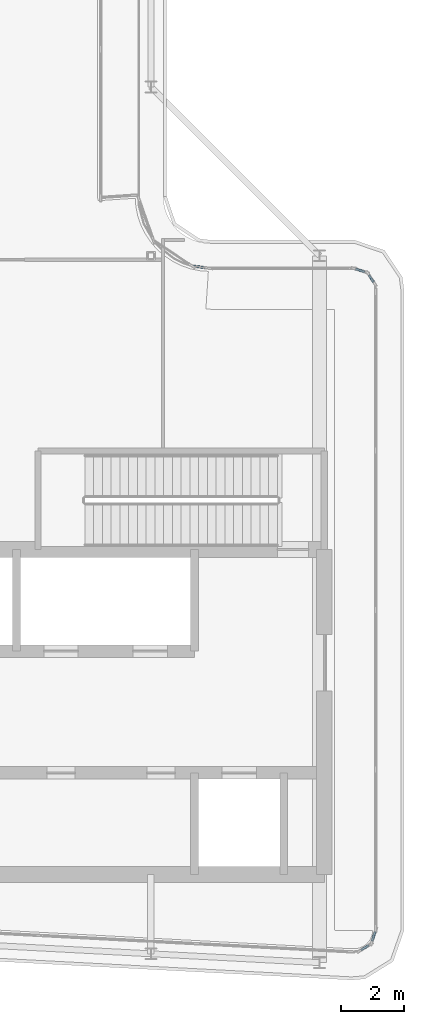
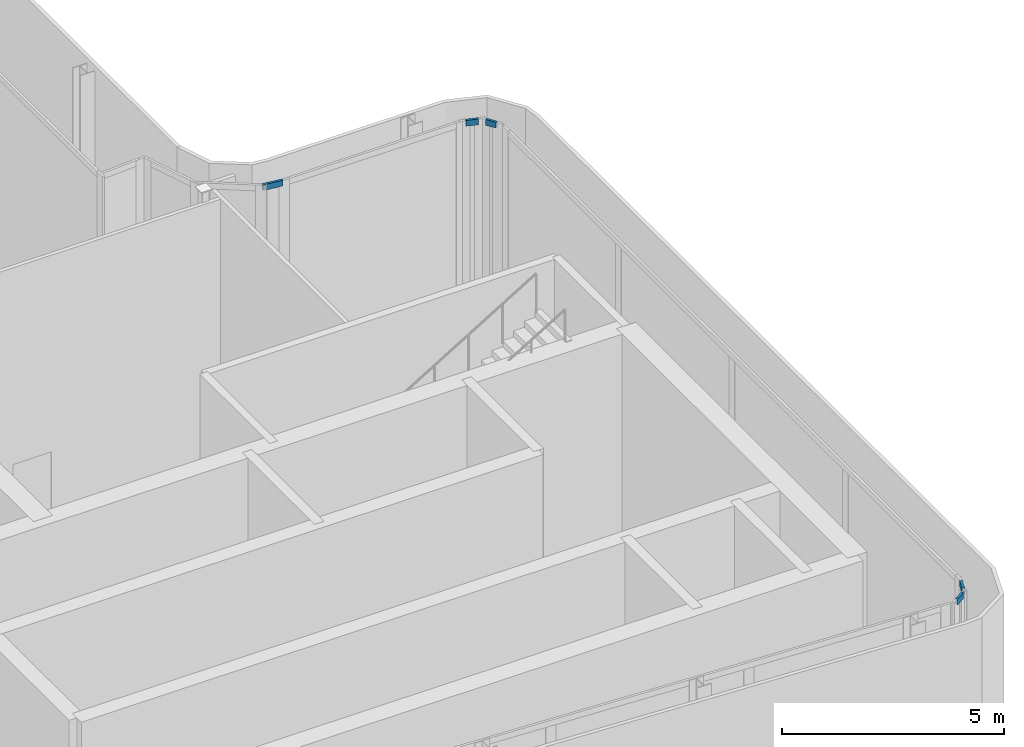
# One storey, part 9 of 23: 5 members, 5 elements without a shape of their own.
"""IFC4 building model written with IfcOpenShell, lengths in metres."""

from ifc_helpers import new_model, si_unit, direction, frame, origin, origin_2d, place, context, subcontext, project, spatial, rectangle, extrude, material, layer, layer_set, material_profile, profile_set, type_object, element, aggregate, save


model = new_model("IFC4")

# Units and contexts
model_context = context("Model", 3, precision=1e-05, world=origin(), true_north=direction((0.0, 1.0)))
body_context = subcontext(model_context, "Body", "Model", "MODEL_VIEW")
ifc_project = project(units=[si_unit("LENGTHUNIT", "METRE"), si_unit("AREAUNIT", "SQUARE_METRE"), si_unit("VOLUMEUNIT", "CUBIC_METRE"), si_unit("PLANEANGLEUNIT", "RADIAN"), si_unit("MASSUNIT", "GRAM", prefix="KILO")], contexts=[model_context])

# Site, building, storey
site_placement = place(None, origin())
site = spatial("IfcSite", under=ifc_project, at=site_placement, CompositionType="ELEMENT")
building_placement = place(site_placement, origin())
building = spatial("IfcBuilding", under=site, at=building_placement, Name="Kheshtan School and Residences Tower", CompositionType="ELEMENT")
storey_placement = place(building_placement, frame((0.0, 0.0, 389.0)))
storey = spatial("IfcBuildingStorey", under=building, at=storey_placement, Name="L92", CompositionType="ELEMENT", Elevation=389.0)

# Curtain wall, member
ifc_material_1 = material(Name="Clear low-e glass in thermally broken aluminium frame", Category="aluminium")
ifc_layer = layer(ifc_material_1, 0.25)
ifc_layer_set = layer_set([ifc_layer], Name="Curtain wall CW-K")
curtain_wall_type = type_object("IfcCurtainWallType", Name="Curtain wall CW-K", PredefinedType="NOTDEFINED", material=ifc_layer_set)
curtain_wall_1_placement = place(storey_placement, origin())
curtain_wall_1 = element("IfcCurtainWall", 1, at=curtain_wall_1_placement, inside=storey, type_object=curtain_wall_type, Name="Curtain wall CWK1a", PredefinedType="NOTDEFINED")
ifc_material_2 = material(Name="Thermally broken aluminium, dark bronze anodised", Category="aluminium")
ifc_material_profile = material_profile(ifc_material_2, rectangle(XDim=0.06005859375, YDim=0.159912109375, at=origin_2d()), Name="CW-K transom 60x160")
ifc_profile_set = profile_set([ifc_material_profile], Name="Thermally broken aluminium, dark bronze anodised")
member_type = type_object("IfcMemberType", Name="CW-K transom 60x160", PredefinedType="USERDEFINED", material=ifc_profile_set)
member_1_placement = place(storey_placement, frame((54.157470703125, 45.177001953125, 7.570068359375), z_axis=(0.952664316284, -0.304024177458, 0.0), x_axis=(0.304024177458, 0.952664316284, 0.0)))
member_1 = element("IfcMember", 2, at=member_1_placement, type_object=member_type, Name="CWK1a transom 1", ObjectType="TRANSOM", PredefinedType="USERDEFINED", context=body_context, shape_type="SweptSolid", body=[
    extrude(rectangle(XDim=0.06005859375, YDim=0.159912109375, at=origin_2d()), origin(), (0.0, 0.0, 1.0), 0.294677734375),
])
aggregate(curtain_wall_1, [member_1])

curtain_wall_2_placement = place(storey_placement, origin())
curtain_wall_2 = element("IfcCurtainWall", 3, at=curtain_wall_2_placement, inside=storey, type_object=curtain_wall_type, Name="Curtain wall CWK2a", PredefinedType="NOTDEFINED")
member_2_placement = place(storey_placement, frame((54.58154296875, 44.979736328125, 7.570068359375), z_axis=(0.554913962671, -0.831907743703, 0.0), x_axis=(0.831907743703, 0.554913962671, 0.0)))
member_2 = element("IfcMember", 4, at=member_2_placement, type_object=member_type, Name="CWK2a transom 1", ObjectType="TRANSOM", PredefinedType="USERDEFINED", context=body_context, shape_type="SweptSolid", body=[
    extrude(rectangle(XDim=0.06005859375, YDim=0.159912109375, at=origin_2d()), origin(), (0.0, 0.0, 1.0), 0.263427734375),
])
aggregate(curtain_wall_2, [member_2])

curtain_wall_3_placement = place(storey_placement, origin())
curtain_wall_3 = element("IfcCurtainWall", 5, at=curtain_wall_3_placement, inside=storey, type_object=curtain_wall_type, Name="Curtain wall CWK4a", PredefinedType="NOTDEFINED")
member_3_placement = place(storey_placement, frame((54.7763671875, 23.9658203125, 7.570068359375), z_axis=(-0.310697118801, -0.950508969115, 0.0), x_axis=(0.950508969115, -0.310697118801, 0.0)))
member_3 = element("IfcMember", 6, at=member_3_placement, type_object=member_type, Name="CWK4a transom 1", ObjectType="TRANSOM", PredefinedType="USERDEFINED", context=body_context, shape_type="SweptSolid", body=[
    extrude(rectangle(XDim=0.06005859375, YDim=0.159912109375, at=origin_2d()), origin(), (0.0, 0.0, 1.0), 0.304931640625),
])
aggregate(curtain_wall_3, [member_3])

curtain_wall_4_placement = place(storey_placement, origin())
curtain_wall_4 = element("IfcCurtainWall", 7, at=curtain_wall_4_placement, inside=storey, type_object=curtain_wall_type, Name="Curtain wall CWK5b", PredefinedType="NOTDEFINED")
member_4_placement = place(storey_placement, frame((54.56982421875, 23.533447265625, 7.570068359375), z_axis=(-0.849707485057, -0.527254388164, 0.0), x_axis=(0.527254388164, -0.849707485057, 0.0)))
member_4 = element("IfcMember", 8, at=member_4_placement, type_object=member_type, Name="CWK5b transom 1", ObjectType="TRANSOM", PredefinedType="USERDEFINED", context=body_context, shape_type="SweptSolid", body=[
    extrude(rectangle(XDim=0.06005859375, YDim=0.159912109375, at=origin_2d()), origin(), (0.0, 0.0, 1.0), 0.280029296875),
])
aggregate(curtain_wall_4, [member_4])

curtain_wall_5_placement = place(storey_placement, origin())
curtain_wall_5 = element("IfcCurtainWall", 9, at=curtain_wall_5_placement, inside=storey, type_object=curtain_wall_type, Name="Curtain wall CWK23a", PredefinedType="NOTDEFINED")
member_5_placement = place(storey_placement, frame((48.93896484375, 45.272705078125, 7.570068359375), z_axis=(0.990990637843, -0.133931160334, 0.0), x_axis=(0.133931160334, 0.990990637843, 0.0)))
member_5 = element("IfcMember", 10, at=member_5_placement, type_object=member_type, Name="CWK23a transom 1", ObjectType="TRANSOM", PredefinedType="USERDEFINED", context=body_context, shape_type="SweptSolid", body=[
    extrude(rectangle(XDim=0.06005859375, YDim=0.159912109375, at=origin_2d()), origin(), (0.0, 0.0, 1.0), 0.488525390625),
])
aggregate(curtain_wall_5, [member_5])

save(model, "model.ifc")
